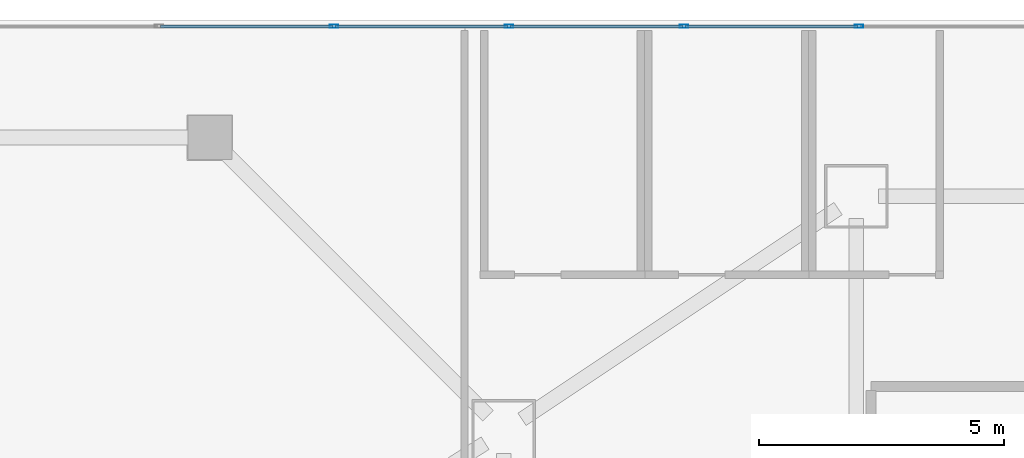
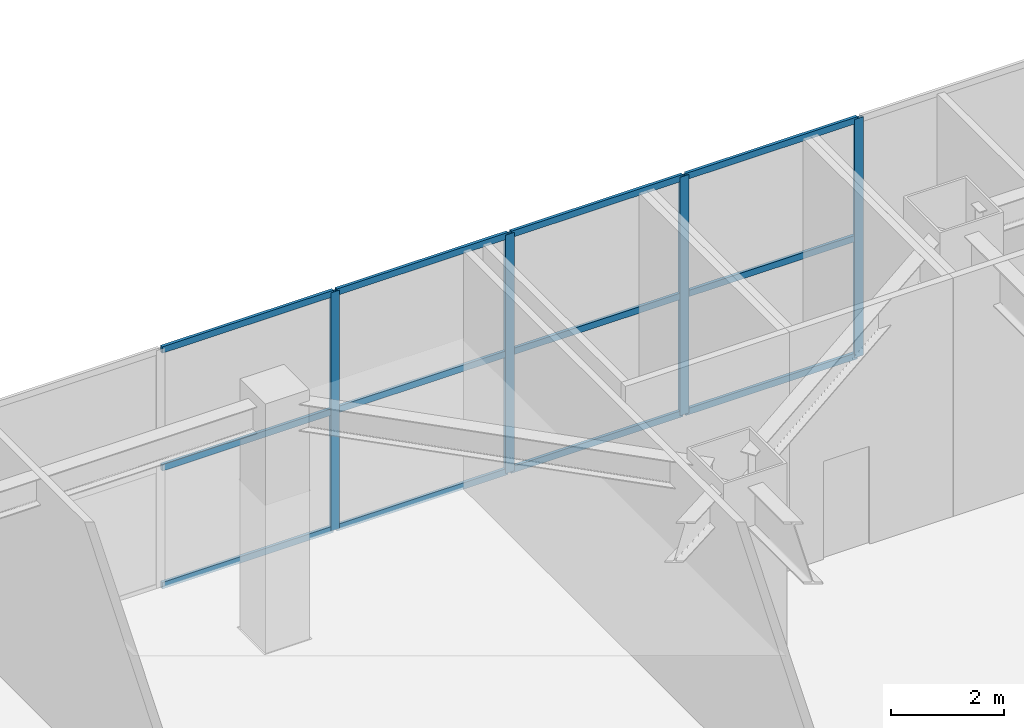
# One storey, part 17 of 37: 16 members, 1 element without a shape of its own.
"""IFC4 building model written with IfcOpenShell, lengths in metres."""

from ifc_helpers import new_model, si_unit, direction, frame, origin, origin_2d, place, context, subcontext, project, spatial, hollow_rectangle, extrude, material, layer, layer_set, material_profile, profile_set, type_object, element, aggregate, save


model = new_model("IFC4")

# Units and contexts
model_context = context("Model", 3, precision=1e-05, world=origin(), true_north=direction((0.0, 1.0)))
body_context = subcontext(model_context, "Body", "Model", "MODEL_VIEW")
ifc_project = project(units=[si_unit("LENGTHUNIT", "METRE"), si_unit("AREAUNIT", "SQUARE_METRE"), si_unit("VOLUMEUNIT", "CUBIC_METRE"), si_unit("PLANEANGLEUNIT", "RADIAN"), si_unit("MASSUNIT", "GRAM", prefix="KILO")], contexts=[model_context])

# Site, building, storey
site_placement = place(None, origin())
site = spatial("IfcSite", under=ifc_project, at=site_placement, CompositionType="ELEMENT")
building_placement = place(site_placement, origin())
building = spatial("IfcBuilding", under=site, at=building_placement, Name="Haolan Belvedere Tower", CompositionType="ELEMENT")
storey_placement = place(building_placement, frame((0.0, 0.0, 10.199951171875)))
storey = spatial("IfcBuildingStorey", under=building, at=storey_placement, Name="L02", CompositionType="ELEMENT", Elevation=10.199951171875)

# Curtain wall, members
ifc_material_1 = material(Name="Anodised champagne-silver aluminium 6063-T6 and Low-E glass", Category="aluminium")
ifc_layer = layer(ifc_material_1, 0.179931640625, Name="Anodised champagne-silver aluminium 6063-T6 and Low-E glass")
ifc_layer_set = layer_set([ifc_layer], Name="Anodised champagne-silver aluminium 6063-T6 and Low-E glass")
curtain_wall_type = type_object("IfcCurtainWallType", Name="CW-SYS-01", PredefinedType="NOTDEFINED", material=ifc_layer_set)
curtain_wall_placement = place(storey_placement, origin())
curtain_wall = element("IfcCurtainWall", 1, at=curtain_wall_placement, inside=storey, type_object=curtain_wall_type, Name="L02 CW-SYS-01 ribbon curtain wall 3.1", PredefinedType="NOTDEFINED")
ifc_material_2 = material(Name="Anodised aluminium 6063-T6", Category="aluminium")
ifc_material_profile_1 = material_profile(ifc_material_2, hollow_rectangle(XDim=0.06494140625, YDim=0.179931640625, WallThickness=0.00390625, at=origin_2d()), Name="Anodised aluminium 6063-T6")
ifc_profile_set_1 = profile_set([ifc_material_profile_1], Name="Anodised aluminium 6063-T6")
member_type_1 = type_object("IfcMemberType", Name="CW-SYS-01-MUL", PredefinedType="MULLION", material=ifc_profile_set_1)
member_1_placement = place(storey_placement, frame((31.25390625, 53.8701171875, 0.0), z_axis=(0.0, 0.0, 1.0), x_axis=(0.0, -1.0, 0.0)))
member_1 = element("IfcMember", 2, at=member_1_placement, type_object=member_type_1, Name="CW-01 mullion 13", PredefinedType="MULLION", context=body_context, shape_type="SweptSolid", body=[
    extrude(hollow_rectangle(XDim=0.06494140625, YDim=0.179931640625, WallThickness=0.00390625, at=origin_2d()), origin(), (0.0, 0.0, 1.0), 5.16015625),
])
member_2_placement = place(storey_placement, frame((27.680908203125, 53.8701171875, 0.0), z_axis=(0.0, 0.0, 1.0), x_axis=(0.0, -1.0, 0.0)))
member_2 = element("IfcMember", 3, at=member_2_placement, type_object=member_type_1, Name="CW-01 mullion 14", PredefinedType="MULLION", context=body_context, shape_type="SweptSolid", body=[
    extrude(hollow_rectangle(XDim=0.06494140625, YDim=0.179931640625, WallThickness=0.00390625, at=origin_2d()), origin(), (0.0, 0.0, 1.0), 5.16015625),
])
member_3_placement = place(storey_placement, frame((24.10791015625, 53.8701171875, 0.0), z_axis=(0.0, 0.0, 1.0), x_axis=(0.0, -1.0, 0.0)))
member_3 = element("IfcMember", 4, at=member_3_placement, type_object=member_type_1, Name="CW-01 mullion 15", PredefinedType="MULLION", context=body_context, shape_type="SweptSolid", body=[
    extrude(hollow_rectangle(XDim=0.06494140625, YDim=0.179931640625, WallThickness=0.00390625, at=origin_2d()), origin(), (0.0, 0.0, 1.0), 5.16015625),
])
member_4_placement = place(storey_placement, frame((20.534912109375, 53.8701171875, 0.0), z_axis=(0.0, 0.0, 1.0), x_axis=(0.0, -1.0, 0.0)))
member_4 = element("IfcMember", 5, at=member_4_placement, type_object=member_type_1, Name="CW-01 mullion 16", PredefinedType="MULLION", context=body_context, shape_type="SweptSolid", body=[
    extrude(hollow_rectangle(XDim=0.06494140625, YDim=0.179931640625, WallThickness=0.00390625, at=origin_2d()), origin(), (0.0, 0.0, 1.0), 5.16015625),
])
ifc_material_profile_2 = material_profile(ifc_material_2, hollow_rectangle(XDim=0.06005859375, YDim=0.139892578125, WallThickness=0.00390625, at=origin_2d()), Name="Anodised aluminium 6063-T6")
ifc_profile_set_2 = profile_set([ifc_material_profile_2], Name="Anodised aluminium 6063-T6")
member_type_2 = type_object("IfcMemberType", Name="CW-SYS-01-TRN", PredefinedType="USERDEFINED", material=ifc_profile_set_2)
member_5_placement = place(storey_placement, frame((31.221435546875, 53.8701171875, 0.030029296875), z_axis=(-1.0, 0.0, 0.0), x_axis=(0.0, -1.0, 0.0)))
member_5 = element("IfcMember", 6, at=member_5_placement, type_object=member_type_2, Name="CW-01 transom 13.1", ObjectType="TRANSOM", PredefinedType="USERDEFINED", context=body_context, shape_type="SweptSolid", body=[
    extrude(hollow_rectangle(XDim=0.06005859375, YDim=0.139892578125, WallThickness=0.00390625, at=origin_2d()), origin(), (0.0, 0.0, 1.0), 3.508056640625),
])
member_6_placement = place(storey_placement, frame((31.221435546875, 53.8701171875, 2.580078125), z_axis=(-1.0, 0.0, 0.0), x_axis=(0.0, -1.0, 0.0)))
member_6 = element("IfcMember", 7, at=member_6_placement, type_object=member_type_2, Name="CW-01 transom 13.2", ObjectType="TRANSOM", PredefinedType="USERDEFINED", context=body_context, shape_type="SweptSolid", body=[
    extrude(hollow_rectangle(XDim=0.06005859375, YDim=0.139892578125, WallThickness=0.00390625, at=origin_2d()), origin(), (0.0, 0.0, 1.0), 3.508056640625),
])
member_7_placement = place(storey_placement, frame((31.221435546875, 53.8701171875, 5.130126953125), z_axis=(-1.0, 0.0, 0.0), x_axis=(0.0, -1.0, 0.0)))
member_7 = element("IfcMember", 8, at=member_7_placement, type_object=member_type_2, Name="CW-01 transom 13.3", ObjectType="TRANSOM", PredefinedType="USERDEFINED", context=body_context, shape_type="SweptSolid", body=[
    extrude(hollow_rectangle(XDim=0.06005859375, YDim=0.139892578125, WallThickness=0.00390625, at=origin_2d()), origin(), (0.0, 0.0, 1.0), 3.508056640625),
])
member_8_placement = place(storey_placement, frame((27.6484375, 53.8701171875, 0.030029296875), z_axis=(-1.0, 0.0, 0.0), x_axis=(0.0, -1.0, 0.0)))
member_8 = element("IfcMember", 9, at=member_8_placement, type_object=member_type_2, Name="CW-01 transom 14.1", ObjectType="TRANSOM", PredefinedType="USERDEFINED", context=body_context, shape_type="SweptSolid", body=[
    extrude(hollow_rectangle(XDim=0.06005859375, YDim=0.139892578125, WallThickness=0.00390625, at=origin_2d()), origin(), (0.0, 0.0, 1.0), 3.508056640625),
])
member_9_placement = place(storey_placement, frame((27.6484375, 53.8701171875, 2.580078125), z_axis=(-1.0, 0.0, 0.0), x_axis=(0.0, -1.0, 0.0)))
member_9 = element("IfcMember", 10, at=member_9_placement, type_object=member_type_2, Name="CW-01 transom 14.2", ObjectType="TRANSOM", PredefinedType="USERDEFINED", context=body_context, shape_type="SweptSolid", body=[
    extrude(hollow_rectangle(XDim=0.06005859375, YDim=0.139892578125, WallThickness=0.00390625, at=origin_2d()), origin(), (0.0, 0.0, 1.0), 3.508056640625),
])
member_10_placement = place(storey_placement, frame((27.6484375, 53.8701171875, 5.130126953125), z_axis=(-1.0, 0.0, 0.0), x_axis=(0.0, -1.0, 0.0)))
member_10 = element("IfcMember", 11, at=member_10_placement, type_object=member_type_2, Name="CW-01 transom 14.3", ObjectType="TRANSOM", PredefinedType="USERDEFINED", context=body_context, shape_type="SweptSolid", body=[
    extrude(hollow_rectangle(XDim=0.06005859375, YDim=0.139892578125, WallThickness=0.00390625, at=origin_2d()), origin(), (0.0, 0.0, 1.0), 3.508056640625),
])
member_11_placement = place(storey_placement, frame((24.075439453125, 53.8701171875, 0.030029296875), z_axis=(-1.0, 0.0, 0.0), x_axis=(0.0, -1.0, 0.0)))
member_11 = element("IfcMember", 12, at=member_11_placement, type_object=member_type_2, Name="CW-01 transom 15.1", ObjectType="TRANSOM", PredefinedType="USERDEFINED", context=body_context, shape_type="SweptSolid", body=[
    extrude(hollow_rectangle(XDim=0.06005859375, YDim=0.139892578125, WallThickness=0.00390625, at=origin_2d()), origin(), (0.0, 0.0, 1.0), 3.508056640625),
])
member_12_placement = place(storey_placement, frame((24.075439453125, 53.8701171875, 2.580078125), z_axis=(-1.0, 0.0, 0.0), x_axis=(0.0, -1.0, 0.0)))
member_12 = element("IfcMember", 13, at=member_12_placement, type_object=member_type_2, Name="CW-01 transom 15.2", ObjectType="TRANSOM", PredefinedType="USERDEFINED", context=body_context, shape_type="SweptSolid", body=[
    extrude(hollow_rectangle(XDim=0.06005859375, YDim=0.139892578125, WallThickness=0.00390625, at=origin_2d()), origin(), (0.0, 0.0, 1.0), 3.508056640625),
])
member_13_placement = place(storey_placement, frame((24.075439453125, 53.8701171875, 5.130126953125), z_axis=(-1.0, 0.0, 0.0), x_axis=(0.0, -1.0, 0.0)))
member_13 = element("IfcMember", 14, at=member_13_placement, type_object=member_type_2, Name="CW-01 transom 15.3", ObjectType="TRANSOM", PredefinedType="USERDEFINED", context=body_context, shape_type="SweptSolid", body=[
    extrude(hollow_rectangle(XDim=0.06005859375, YDim=0.139892578125, WallThickness=0.00390625, at=origin_2d()), origin(), (0.0, 0.0, 1.0), 3.508056640625),
])
member_14_placement = place(storey_placement, frame((20.50244140625, 53.8701171875, 0.030029296875), z_axis=(-1.0, 0.0, 0.0), x_axis=(0.0, -1.0, 0.0)))
member_14 = element("IfcMember", 15, at=member_14_placement, type_object=member_type_2, Name="CW-01 transom 16.1", ObjectType="TRANSOM", PredefinedType="USERDEFINED", context=body_context, shape_type="SweptSolid", body=[
    extrude(hollow_rectangle(XDim=0.06005859375, YDim=0.139892578125, WallThickness=0.00390625, at=origin_2d()), origin(), (0.0, 0.0, 1.0), 3.508056640625),
])
member_15_placement = place(storey_placement, frame((20.50244140625, 53.8701171875, 2.580078125), z_axis=(-1.0, 0.0, 0.0), x_axis=(0.0, -1.0, 0.0)))
member_15 = element("IfcMember", 16, at=member_15_placement, type_object=member_type_2, Name="CW-01 transom 16.2", ObjectType="TRANSOM", PredefinedType="USERDEFINED", context=body_context, shape_type="SweptSolid", body=[
    extrude(hollow_rectangle(XDim=0.06005859375, YDim=0.139892578125, WallThickness=0.00390625, at=origin_2d()), origin(), (0.0, 0.0, 1.0), 3.508056640625),
])
member_16_placement = place(storey_placement, frame((20.50244140625, 53.8701171875, 5.130126953125), z_axis=(-1.0, 0.0, 0.0), x_axis=(0.0, -1.0, 0.0)))
member_16 = element("IfcMember", 17, at=member_16_placement, type_object=member_type_2, Name="CW-01 transom 16.3", ObjectType="TRANSOM", PredefinedType="USERDEFINED", context=body_context, shape_type="SweptSolid", body=[
    extrude(hollow_rectangle(XDim=0.06005859375, YDim=0.139892578125, WallThickness=0.00390625, at=origin_2d()), origin(), (0.0, 0.0, 1.0), 3.508056640625),
])
aggregate(curtain_wall, [member_1, member_2, member_3, member_4, member_5, member_6, member_7, member_8, member_9, member_10, member_11, member_12, member_13, member_14, member_15, member_16])

save(model, "model.ifc")
